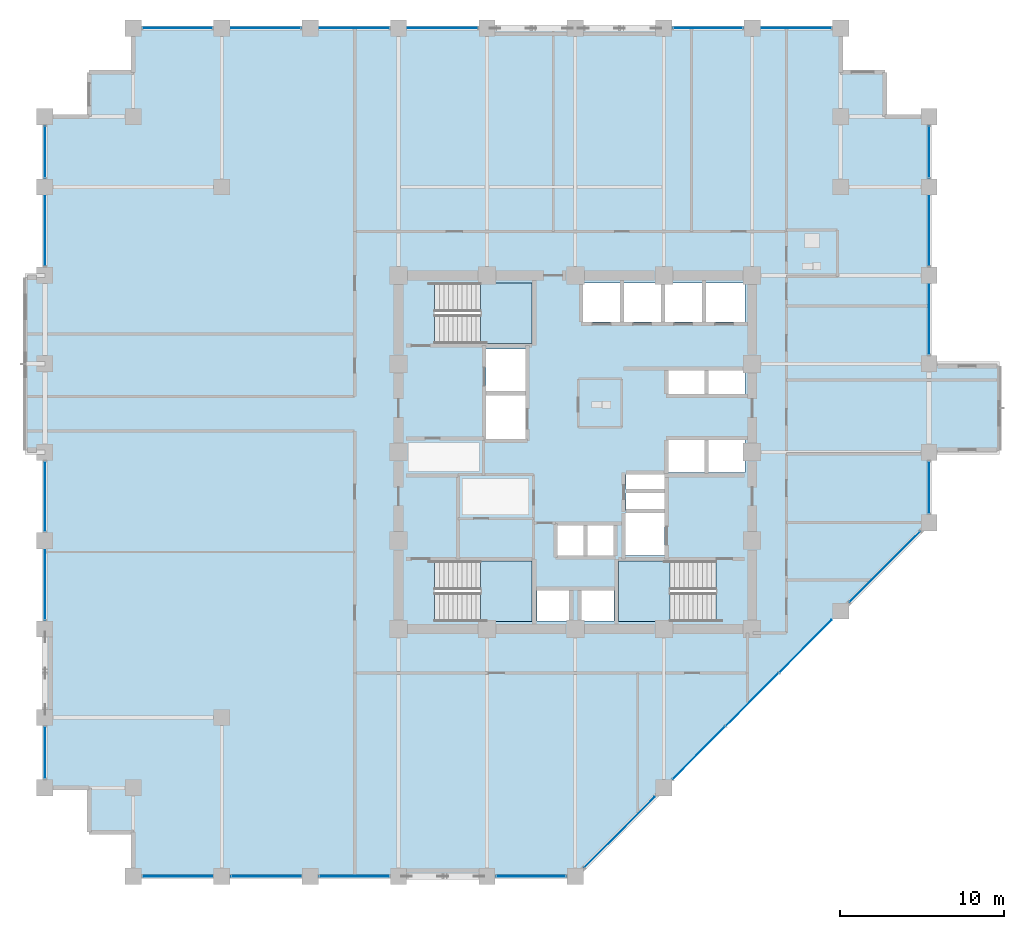
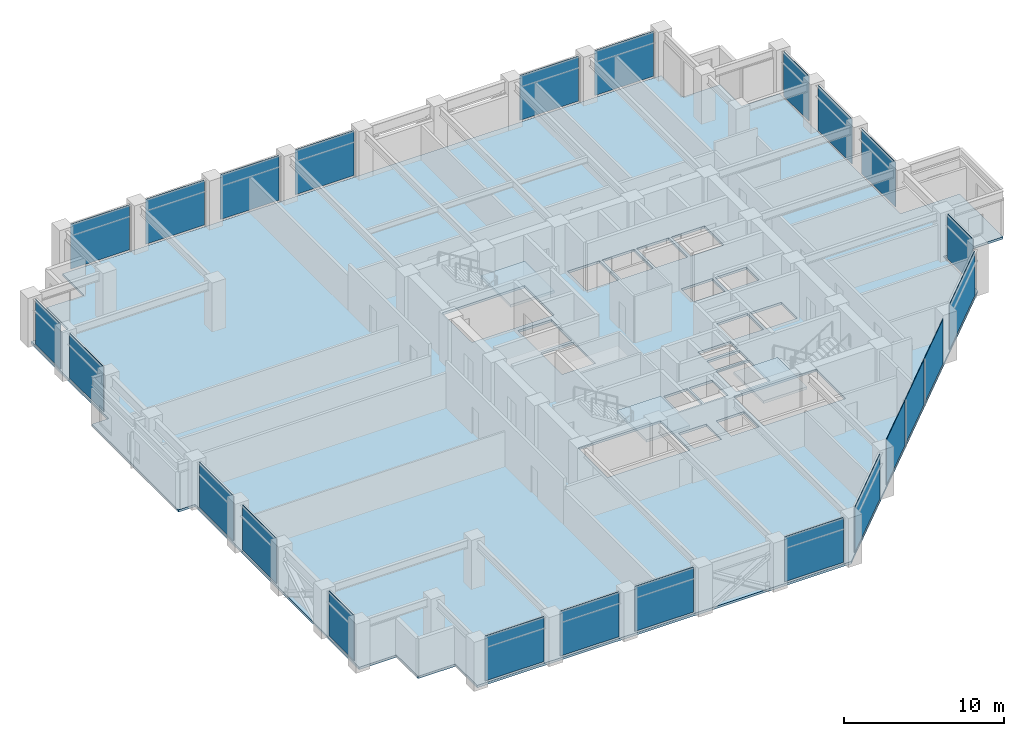
# One storey, part 17 of 25: 24 plates, 4 slabs, 13 elements without a shape of their own.
"""IFC4 building model written with IfcOpenShell, lengths in metres."""

from ifc_helpers import new_model, si_unit, direction, frame, frame_2d, origin, place, context, subcontext, project, spatial, polyline, rectangle, outline, extrude, material, layer, layer_set, type_object, element, aggregate, save


model = new_model("IFC4")

# Units and contexts
model_context = context("Model", 3, precision=1e-05, world=origin(), true_north=direction((0.0, 1.0)))
body_context = subcontext(model_context, "Body", "Model", "MODEL_VIEW")
ifc_project = project(units=[si_unit("LENGTHUNIT", "METRE"), si_unit("AREAUNIT", "SQUARE_METRE"), si_unit("VOLUMEUNIT", "CUBIC_METRE"), si_unit("PLANEANGLEUNIT", "RADIAN"), si_unit("MASSUNIT", "GRAM", prefix="KILO")], contexts=[model_context])

# Site, building, storey
site_placement = place(None, origin())
site = spatial("IfcSite", under=ifc_project, at=site_placement, CompositionType="ELEMENT")
building_placement = place(site_placement, origin())
building = spatial("IfcBuilding", under=site, at=building_placement, Name="Surkhivell Harbour Commons", CompositionType="ELEMENT")
storey_placement = place(building_placement, frame((0.0, 0.0, 139.5)))
storey = spatial("IfcBuildingStorey", under=building, at=storey_placement, Name="L36", CompositionType="ELEMENT", Elevation=139.5)

# Curtain wall, plates
ifc_material_1 = material(Name="Anodised pale-metal aluminium and insulated glazing", Category="aluminium")
ifc_layer_1 = layer(ifc_material_1, 0.205078125)
ifc_layer_set_1 = layer_set([ifc_layer_1], Name="Anodised pale-metal aluminium and insulated glazing")
curtain_wall_type = type_object("IfcCurtainWallType", Name="CW-SYS-Z2", PredefinedType="NOTDEFINED", material=ifc_layer_set_1)
curtain_wall_1_placement = place(storey_placement, origin())
curtain_wall_1 = element("IfcCurtainWall", 1, at=curtain_wall_1_placement, inside=storey, type_object=curtain_wall_type, Name="L36 Curtain Wall CW-L36-E00S1", PredefinedType="NOTDEFINED")
ifc_material_2 = material(Name="High-pressure typhoon laminated vision glass", Category="glass")
ifc_layer_2 = layer(ifc_material_2, 0.035888671875)
ifc_layer_set_2 = layer_set([ifc_layer_2], Name="High-pressure typhoon laminated vision glass")
plate_type = type_object("IfcPlateType", Name="CWP-GLZ-36", PredefinedType="CURTAIN_PANEL", material=ifc_layer_set_2)
plate_1_placement = place(storey_placement, frame((-26.423095703125, -25.89990234375, 0.14990234375), z_axis=(0.0, 0.0, 1.0), x_axis=(1.0, 0.0, 0.0)))
plate_1 = element("IfcPlate", 2, at=plate_1_placement, type_object=plate_type, Name="CW-Z2 panel 1.1", PredefinedType="CURTAIN_PANEL", context=body_context, shape_type="SweptSolid", body=[
    extrude(rectangle(XDim=4.24609375, YDim=0.035888671875, at=frame_2d((2.123046875, 0.0))), origin(), (0.0, 0.0, 1.0), 3.420166015625),
])
plate_2_placement = place(storey_placement, frame((-21.02294921875, -25.89990234375, 0.14990234375), z_axis=(0.0, 0.0, 1.0), x_axis=(1.0, 0.0, 0.0)))
plate_2 = element("IfcPlate", 3, at=plate_2_placement, type_object=plate_type, Name="CW-Z2 panel 2.1", PredefinedType="CURTAIN_PANEL", context=body_context, shape_type="SweptSolid", body=[
    extrude(rectangle(XDim=4.245849609375, YDim=0.035888671875, at=frame_2d((2.123046875, 0.0))), origin(), (0.0, 0.0, 1.0), 3.420166015625),
])
plate_3_placement = place(storey_placement, frame((-15.623046875, -25.89990234375, 0.14990234375), z_axis=(0.0, 0.0, 1.0), x_axis=(1.0, 0.0, 0.0)))
plate_3 = element("IfcPlate", 4, at=plate_3_placement, type_object=plate_type, Name="CW-Z2 panel 3.1", PredefinedType="CURTAIN_PANEL", context=body_context, shape_type="SweptSolid", body=[
    extrude(rectangle(XDim=4.24609375, YDim=0.035888671875, at=frame_2d((2.123046875, 0.0))), origin(), (0.0, 0.0, 1.0), 3.420166015625),
])
aggregate(curtain_wall_1, [plate_1, plate_2, plate_3])

# Curtain wall, plate
curtain_wall_2_placement = place(storey_placement, origin())
curtain_wall_2 = element("IfcCurtainWall", 5, at=curtain_wall_2_placement, inside=storey, type_object=curtain_wall_type, Name="L36 Curtain Wall CW-L36-E00S2", PredefinedType="NOTDEFINED")
plate_4_placement = place(storey_placement, frame((-4.822998046875, -25.89990234375, 0.14990234375), z_axis=(0.0, 0.0, 1.0), x_axis=(1.0, 0.0, 0.0)))
plate_4 = element("IfcPlate", 6, at=plate_4_placement, type_object=plate_type, Name="CW-Z2 panel 1.1", PredefinedType="CURTAIN_PANEL", context=body_context, shape_type="SweptSolid", body=[
    extrude(rectangle(XDim=4.24609375, YDim=0.035888671875, at=frame_2d((2.123046875, 0.0))), origin(), (0.0, 0.0, 1.0), 3.420166015625),
])
aggregate(curtain_wall_2, [plate_4])

# Curtain wall, plates
curtain_wall_3_placement = place(storey_placement, origin())
curtain_wall_3 = element("IfcCurtainWall", 7, at=curtain_wall_3_placement, inside=storey, type_object=curtain_wall_type, Name="L36 Curtain Wall CW-L36-E01", PredefinedType="NOTDEFINED")
plate_5_placement = place(storey_placement, frame((0.5546875, -25.34521484375, 0.14990234375), z_axis=(0.0, 0.0, 1.0), x_axis=(0.707106781187, 0.707106781187, 0.0)))
plate_5 = element("IfcPlate", 8, at=plate_5_placement, type_object=plate_type, Name="CW-Z2 panel 1.1", PredefinedType="CURTAIN_PANEL", context=body_context, shape_type="SweptSolid", body=[
    extrude(rectangle(XDim=6.067626953125, YDim=0.035888671875, at=frame_2d((3.03369140625, 0.0))), origin(), (0.0, 0.0, 1.0), 3.420166015625),
])
plate_6_placement = place(storey_placement, frame((5.954833984375, -19.9453125, 0.14990234375), z_axis=(0.0, 0.0, 1.0), x_axis=(0.707079687416, 0.707133873919, 0.0)))
plate_6 = element("IfcPlate", 9, at=plate_6_placement, type_object=plate_type, Name="CW-Z2 panel 2.1", PredefinedType="CURTAIN_PANEL", context=body_context, shape_type="SweptSolid", body=[
    extrude(rectangle(XDim=4.505615234375, YDim=0.035888671875, at=frame_2d((2.2529296875, 0.0))), origin(), (0.0, 0.0, 1.0), 3.420166015625),
])
plate_7_placement = place(storey_placement, frame((9.19384765625, -16.706298828125, 0.14990234375), z_axis=(0.0, 0.0, 1.0), x_axis=(0.707079911854, 0.707133649498, 0.0)))
plate_7 = element("IfcPlate", 10, at=plate_7_placement, type_object=plate_type, Name="CW-Z2 panel 3.1", PredefinedType="CURTAIN_PANEL", context=body_context, shape_type="SweptSolid", body=[
    extrude(rectangle(XDim=4.543212890625, YDim=0.035888671875, at=frame_2d((2.271484375, 0.0))), origin(), (0.0, 0.0, 1.0), 3.420166015625),
])
plate_8_placement = place(storey_placement, frame((12.459228515625, -13.440673828125, 0.14990234375), z_axis=(0.0, 0.0, 1.0), x_axis=(0.707106781187, 0.707106781187, 0.0)))
plate_8 = element("IfcPlate", 11, at=plate_8_placement, type_object=plate_type, Name="CW-Z2 panel 4.1", PredefinedType="CURTAIN_PANEL", context=body_context, shape_type="SweptSolid", body=[
    extrude(rectangle(XDim=4.505615234375, YDim=0.035888671875, at=frame_2d((2.2529296875, 0.0))), origin(), (0.0, 0.0, 1.0), 3.420166015625),
])
plate_9_placement = place(storey_placement, frame((16.754638671875, -9.145263671875, 0.14990234375), z_axis=(0.0, 0.0, 1.0), x_axis=(0.707106781187, 0.707106781187, 0.0)))
plate_9 = element("IfcPlate", 12, at=plate_9_placement, type_object=plate_type, Name="CW-Z2 panel 5.1", PredefinedType="CURTAIN_PANEL", context=body_context, shape_type="SweptSolid", body=[
    extrude(rectangle(XDim=6.067626953125, YDim=0.035888671875, at=frame_2d((3.03369140625, 0.0))), origin(), (0.0, 0.0, 1.0), 3.420166015625),
])
aggregate(curtain_wall_3, [plate_5, plate_6, plate_7, plate_8, plate_9])

# Curtain wall, plate
curtain_wall_4_placement = place(storey_placement, origin())
curtain_wall_4 = element("IfcCurtainWall", 13, at=curtain_wall_4_placement, inside=storey, type_object=curtain_wall_type, Name="L36 Curtain Wall CW-L36-E02R1", PredefinedType="NOTDEFINED")
plate_10_placement = place(storey_placement, frame((21.60009765625, -3.722900390625, 0.14990234375), z_axis=(0.0, 0.0, 1.0), x_axis=(0.0, 1.0, 0.0)))
plate_10 = element("IfcPlate", 14, at=plate_10_placement, type_object=plate_type, Name="CW-Z2 panel 1.1", PredefinedType="CURTAIN_PANEL", context=body_context, shape_type="SweptSolid", body=[
    extrude(rectangle(XDim=3.14599609375, YDim=0.035888671875, at=frame_2d((1.572998046875, 0.0))), origin(), (0.0, 0.0, 1.0), 3.420166015625),
])
aggregate(curtain_wall_4, [plate_10])

# Curtain wall, plates
curtain_wall_5_placement = place(storey_placement, origin())
curtain_wall_5 = element("IfcCurtainWall", 15, at=curtain_wall_5_placement, inside=storey, type_object=curtain_wall_type, Name="L36 Curtain Wall CW-L36-E02R2", PredefinedType="NOTDEFINED")
plate_11_placement = place(storey_placement, frame((21.60009765625, 5.97705078125, 0.14990234375), z_axis=(0.0, 0.0, 1.0), x_axis=(0.0, 1.0, 0.0)))
plate_11 = element("IfcPlate", 16, at=plate_11_placement, type_object=plate_type, Name="CW-Z2 panel 1.1", PredefinedType="CURTAIN_PANEL", context=body_context, shape_type="SweptSolid", body=[
    extrude(rectangle(XDim=4.245849609375, YDim=0.035888671875, at=frame_2d((2.123046875, 0.0))), origin(), (0.0, 0.0, 1.0), 3.420166015625),
])
plate_12_placement = place(storey_placement, frame((21.60009765625, 11.376953125, 0.14990234375), z_axis=(0.0, 0.0, 1.0), x_axis=(0.0, 1.0, 0.0)))
plate_12 = element("IfcPlate", 17, at=plate_12_placement, type_object=plate_type, Name="CW-Z2 panel 2.1", PredefinedType="CURTAIN_PANEL", context=body_context, shape_type="SweptSolid", body=[
    extrude(rectangle(XDim=4.24609375, YDim=0.035888671875, at=frame_2d((2.123046875, 0.0))), origin(), (0.0, 0.0, 1.0), 3.420166015625),
])
plate_13_placement = place(storey_placement, frame((21.60009765625, 16.777099609375, 0.14990234375), z_axis=(0.0, 0.0, 1.0), x_axis=(0.0, 1.0, 0.0)))
plate_13 = element("IfcPlate", 18, at=plate_13_placement, type_object=plate_type, Name="CW-Z2 panel 3.1", PredefinedType="CURTAIN_PANEL", context=body_context, shape_type="SweptSolid", body=[
    extrude(rectangle(XDim=3.14599609375, YDim=0.035888671875, at=frame_2d((1.572998046875, 0.0))), origin(), (0.0, 0.0, 1.0), 3.420166015625),
])
aggregate(curtain_wall_5, [plate_11, plate_12, plate_13])

curtain_wall_6_placement = place(storey_placement, origin())
curtain_wall_6 = element("IfcCurtainWall", 19, at=curtain_wall_6_placement, inside=storey, type_object=curtain_wall_type, Name="L36 Curtain Wall CW-L36-E07S1", PredefinedType="NOTDEFINED")
plate_14_placement = place(storey_placement, frame((15.623046875, 25.89990234375, 0.14990234375), z_axis=(0.0, 0.0, 1.0), x_axis=(-1.0, 0.0, 0.0)))
plate_14 = element("IfcPlate", 20, at=plate_14_placement, type_object=plate_type, Name="CW-Z2 panel 1.1", PredefinedType="CURTAIN_PANEL", context=body_context, shape_type="SweptSolid", body=[
    extrude(rectangle(XDim=4.24609375, YDim=0.035888671875, at=frame_2d((2.123046875, 0.0))), origin(), (0.0, 0.0, 1.0), 3.420166015625),
])
plate_15_placement = place(storey_placement, frame((10.222900390625, 25.89990234375, 0.14990234375), z_axis=(0.0, 0.0, 1.0), x_axis=(-1.0, 0.0, 0.0)))
plate_15 = element("IfcPlate", 21, at=plate_15_placement, type_object=plate_type, Name="CW-Z2 panel 2.1", PredefinedType="CURTAIN_PANEL", context=body_context, shape_type="SweptSolid", body=[
    extrude(rectangle(XDim=4.245849609375, YDim=0.035888671875, at=frame_2d((2.123046875, 0.0))), origin(), (0.0, 0.0, 1.0), 3.420166015625),
])
aggregate(curtain_wall_6, [plate_14, plate_15])

curtain_wall_7_placement = place(storey_placement, origin())
curtain_wall_7 = element("IfcCurtainWall", 22, at=curtain_wall_7_placement, inside=storey, type_object=curtain_wall_type, Name="L36 Curtain Wall CW-L36-E07S2", PredefinedType="NOTDEFINED")
plate_16_placement = place(storey_placement, frame((-5.97705078125, 25.89990234375, 0.14990234375), z_axis=(0.0, 0.0, 1.0), x_axis=(-1.0, 0.0, 0.0)))
plate_16 = element("IfcPlate", 23, at=plate_16_placement, type_object=plate_type, Name="CW-Z2 panel 1.1", PredefinedType="CURTAIN_PANEL", context=body_context, shape_type="SweptSolid", body=[
    extrude(rectangle(XDim=4.245849609375, YDim=0.035888671875, at=frame_2d((2.123046875, 0.0))), origin(), (0.0, 0.0, 1.0), 3.420166015625),
])
plate_17_placement = place(storey_placement, frame((-11.376953125, 25.89990234375, 0.14990234375), z_axis=(0.0, 0.0, 1.0), x_axis=(-1.0, 0.0, 0.0)))
plate_17 = element("IfcPlate", 24, at=plate_17_placement, type_object=plate_type, Name="CW-Z2 panel 2.1", PredefinedType="CURTAIN_PANEL", context=body_context, shape_type="SweptSolid", body=[
    extrude(rectangle(XDim=4.24609375, YDim=0.035888671875, at=frame_2d((2.123046875, 0.0))), origin(), (0.0, 0.0, 1.0), 3.420166015625),
])
plate_18_placement = place(storey_placement, frame((-16.777099609375, 25.89990234375, 0.14990234375), z_axis=(0.0, 0.0, 1.0), x_axis=(-1.0, 0.0, 0.0)))
plate_18 = element("IfcPlate", 25, at=plate_18_placement, type_object=plate_type, Name="CW-Z2 panel 3.1", PredefinedType="CURTAIN_PANEL", context=body_context, shape_type="SweptSolid", body=[
    extrude(rectangle(XDim=4.245849609375, YDim=0.035888671875, at=frame_2d((2.123046875, 0.0))), origin(), (0.0, 0.0, 1.0), 3.420166015625),
])
plate_19_placement = place(storey_placement, frame((-22.177001953125, 25.89990234375, 0.14990234375), z_axis=(0.0, 0.0, 1.0), x_axis=(-1.0, 0.0, 0.0)))
plate_19 = element("IfcPlate", 26, at=plate_19_placement, type_object=plate_type, Name="CW-Z2 panel 4.1", PredefinedType="CURTAIN_PANEL", context=body_context, shape_type="SweptSolid", body=[
    extrude(rectangle(XDim=4.24609375, YDim=0.035888671875, at=frame_2d((2.123046875, 0.0))), origin(), (0.0, 0.0, 1.0), 3.420166015625),
])
aggregate(curtain_wall_7, [plate_16, plate_17, plate_18, plate_19])

# Curtain wall, plate
curtain_wall_8_placement = place(storey_placement, origin())
curtain_wall_8 = element("IfcCurtainWall", 27, at=curtain_wall_8_placement, inside=storey, type_object=curtain_wall_type, Name="L36 Curtain Wall CW-L36-E12R1S1", PredefinedType="NOTDEFINED")
plate_20_placement = place(storey_placement, frame((-32.39990234375, -19.923095703125, 0.14990234375), z_axis=(0.0, 0.0, 1.0), x_axis=(0.0, 1.0, 0.0)))
plate_20 = element("IfcPlate", 28, at=plate_20_placement, type_object=plate_type, Name="CW-Z2 panel 1.1", PredefinedType="CURTAIN_PANEL", context=body_context, shape_type="SweptSolid", body=[
    extrude(rectangle(XDim=3.14599609375, YDim=0.035888671875, at=frame_2d((1.572998046875, 0.0))), origin(), (0.0, 0.0, 1.0), 3.420166015625),
])
aggregate(curtain_wall_8, [plate_20])

# Curtain wall, plates
curtain_wall_9_placement = place(storey_placement, origin())
curtain_wall_9 = element("IfcCurtainWall", 29, at=curtain_wall_9_placement, inside=storey, type_object=curtain_wall_type, Name="L36 Curtain Wall CW-L36-E12R1S2", PredefinedType="NOTDEFINED")
plate_21_placement = place(storey_placement, frame((-32.39990234375, -10.222900390625, 0.14990234375), z_axis=(0.0, 0.0, 1.0), x_axis=(0.0, 1.0, 0.0)))
plate_21 = element("IfcPlate", 30, at=plate_21_placement, type_object=plate_type, Name="CW-Z2 panel 1.1", PredefinedType="CURTAIN_PANEL", context=body_context, shape_type="SweptSolid", body=[
    extrude(rectangle(XDim=4.245849609375, YDim=0.035888671875, at=frame_2d((2.123046875, 0.0))), origin(), (0.0, 0.0, 1.0), 3.420166015625),
])
plate_22_placement = place(storey_placement, frame((-32.39990234375, -4.822998046875, 0.14990234375), z_axis=(0.0, 0.0, 1.0), x_axis=(0.0, 1.0, 0.0)))
plate_22 = element("IfcPlate", 31, at=plate_22_placement, type_object=plate_type, Name="CW-Z2 panel 2.1", PredefinedType="CURTAIN_PANEL", context=body_context, shape_type="SweptSolid", body=[
    extrude(rectangle(XDim=4.24609375, YDim=0.035888671875, at=frame_2d((2.123046875, 0.0))), origin(), (0.0, 0.0, 1.0), 3.420166015625),
])
aggregate(curtain_wall_9, [plate_21, plate_22])

curtain_wall_10_placement = place(storey_placement, origin())
curtain_wall_10 = element("IfcCurtainWall", 32, at=curtain_wall_10_placement, inside=storey, type_object=curtain_wall_type, Name="L36 Curtain Wall CW-L36-E12R2", PredefinedType="NOTDEFINED")
plate_23_placement = place(storey_placement, frame((-32.39990234375, 11.376953125, 0.14990234375), z_axis=(0.0, 0.0, 1.0), x_axis=(0.0, 1.0, 0.0)))
plate_23 = element("IfcPlate", 33, at=plate_23_placement, type_object=plate_type, Name="CW-Z2 panel 1.1", PredefinedType="CURTAIN_PANEL", context=body_context, shape_type="SweptSolid", body=[
    extrude(rectangle(XDim=4.24609375, YDim=0.035888671875, at=frame_2d((2.123046875, 0.0))), origin(), (0.0, 0.0, 1.0), 3.420166015625),
])
plate_24_placement = place(storey_placement, frame((-32.39990234375, 16.777099609375, 0.14990234375), z_axis=(0.0, 0.0, 1.0), x_axis=(0.0, 1.0, 0.0)))
plate_24 = element("IfcPlate", 34, at=plate_24_placement, type_object=plate_type, Name="CW-Z2 panel 2.1", PredefinedType="CURTAIN_PANEL", context=body_context, shape_type="SweptSolid", body=[
    extrude(rectangle(XDim=3.14599609375, YDim=0.035888671875, at=frame_2d((1.572998046875, 0.0))), origin(), (0.0, 0.0, 1.0), 3.420166015625),
])
aggregate(curtain_wall_10, [plate_23, plate_24])

# Stair, slab
ifc_material_3 = material(Name="Precast concrete C45/55", Category="concrete")
stair_type = type_object("IfcStairType", Name="STR-DL-375", PredefinedType="HALF_TURN_STAIR", material=ifc_material_3)
stair_1_placement = place(storey_placement, origin())
stair_1 = element("IfcStair", 35, at=stair_1_placement, inside=storey, type_object=stair_type, Name="L36 Core Exit Stair ST1", PredefinedType="HALF_TURN_STAIR")
ifc_material_4 = material(Name="Reinforced concrete C45/55", Category="concrete")
ifc_layer_3 = layer(ifc_material_4, 0.199951171875)
ifc_layer_set_3 = layer_set([ifc_layer_3], Name="Reinforced concrete C45/55")
slab_type_1 = type_object("IfcSlabType", Name="SLB-ST-LND200", PredefinedType="LANDING", material=ifc_layer_set_3)
slab_1_placement = place(storey_placement, frame((0.0, 0.0, 1.675048828125)))
slab_1 = element("IfcSlab", 36, at=slab_1_placement, type_object=slab_type_1, Name="ST1 landing 1", PredefinedType="LANDING", context=body_context, shape_type="SweptSolid", body=[
    extrude(outline(polyline([(-5.7900390625, 6.639892578125), (-2.639892578125, 6.639892578125), (-2.639892578125, 10.340087890625), (-5.7900390625, 10.340087890625), (-5.7900390625, 6.639892578125)])), origin(), (0.0, 0.0, 1.0), 0.199951171875),
])
aggregate(stair_1, [slab_1])

stair_2_placement = place(storey_placement, origin())
stair_2 = element("IfcStair", 37, at=stair_2_placement, inside=storey, type_object=stair_type, Name="L36 Core Exit Stair ST2", PredefinedType="HALF_TURN_STAIR")
slab_2_placement = place(storey_placement, frame((0.0, 0.0, 1.675048828125)))
slab_2 = element("IfcSlab", 38, at=slab_2_placement, type_object=slab_type_1, Name="ST2 landing 1", PredefinedType="LANDING", context=body_context, shape_type="SweptSolid", body=[
    extrude(outline(polyline([(5.7900390625, -6.639892578125), (2.639892578125, -6.639892578125), (2.639892578125, -10.340087890625), (5.7900390625, -10.340087890625), (5.7900390625, -6.639892578125)])), origin(), (0.0, 0.0, 1.0), 0.199951171875),
])
aggregate(stair_2, [slab_2])

stair_3_placement = place(storey_placement, origin())
stair_3 = element("IfcStair", 39, at=stair_3_placement, inside=storey, type_object=stair_type, Name="L36 Core Exit Stair ST3", PredefinedType="HALF_TURN_STAIR")
slab_3_placement = place(storey_placement, frame((0.0, 0.0, 1.675048828125)))
slab_3 = element("IfcSlab", 40, at=slab_3_placement, type_object=slab_type_1, Name="ST3 landing 1", PredefinedType="LANDING", context=body_context, shape_type="SweptSolid", body=[
    extrude(outline(polyline([(-5.7900390625, -10.340087890625), (-2.639892578125, -10.340087890625), (-2.639892578125, -6.639892578125), (-5.7900390625, -6.639892578125), (-5.7900390625, -10.340087890625)])), origin(), (0.0, 0.0, 1.0), 0.199951171875),
])
aggregate(stair_3, [slab_3])

# Slab
ifc_material_5 = material(Name="Concrete C45/55", Category="concrete")
ifc_layer_4 = layer(ifc_material_5, 0.179931640625)
ifc_layer_set_4 = layer_set([ifc_layer_4], Name="Concrete C45/55")
slab_type_2 = type_object("IfcSlabType", Name="SLB-TYP-180", PredefinedType="FLOOR", material=ifc_layer_set_4)
slab_4_placement = place(storey_placement, frame((0.0, 0.0, -0.179931640625)))
element("IfcSlab", 41, at=slab_4_placement, inside=storey, type_object=slab_type_2, Name="L36 Structural Floor Slab", PredefinedType="FLOOR", context=body_context, shape_type="SweptSolid", body=[
    extrude(outline(polyline([(-32.39990234375, 20.5), (-32.39990234375, 10.800048828125), (-33.60009765625, 10.800048828125), (-33.60009765625, 0.0), (-32.39990234375, 0.0), (-32.39990234375, -20.5), (-29.699951171875, -20.5), (-29.699951171875, -23.199951171875), (-27.0, -23.199951171875), (-27.0, -25.89990234375), (0.0, -25.89990234375), (21.60009765625, -4.300048828125), (21.60009765625, 0.0), (25.89990234375, 0.0), (25.89990234375, 5.39990234375), (21.60009765625, 5.39990234375), (21.60009765625, 20.5), (18.89990234375, 20.5), (18.89990234375, 23.199951171875), (16.199951171875, 23.199951171875), (16.199951171875, 25.89990234375), (-27.0, 25.89990234375), (-27.0, 23.199951171875), (-29.699951171875, 23.199951171875), (-29.699951171875, 20.5), (-32.39990234375, 20.5)]), holes=[polyline([(-8.590087890625, 6.639892578125), (-2.639892578125, 6.639892578125), (-2.639892578125, 10.340087890625), (-8.590087890625, 10.340087890625), (-8.590087890625, 6.639892578125)]), polyline([(8.590087890625, -6.639892578125), (2.639892578125, -6.639892578125), (2.639892578125, -10.340087890625), (8.590087890625, -10.340087890625), (8.590087890625, -6.639892578125)]), polyline([(-8.590087890625, -10.340087890625), (-2.639892578125, -10.340087890625), (-2.639892578125, -6.639892578125), (-8.590087890625, -6.639892578125), (-8.590087890625, -10.340087890625)]), polyline([(0.449951171875, 7.949951171875), (2.75, 7.949951171875), (2.75, 10.35009765625), (0.449951171875, 10.35009765625), (0.449951171875, 7.949951171875)]), polyline([(2.949951171875, 7.949951171875), (5.25, 7.949951171875), (5.25, 10.35009765625), (2.949951171875, 10.35009765625), (2.949951171875, 7.949951171875)]), polyline([(5.449951171875, 7.949951171875), (7.75, 7.949951171875), (7.75, 10.35009765625), (5.449951171875, 10.35009765625), (5.449951171875, 7.949951171875)]), polyline([(7.949951171875, 7.949951171875), (10.35009765625, 7.949951171875), (10.35009765625, 10.35009765625), (7.949951171875, 10.35009765625), (7.949951171875, 7.949951171875)]), polyline([(5.64990234375, 3.550048828125), (7.89990234375, 3.550048828125), (7.89990234375, 5.14990234375), (5.64990234375, 5.14990234375), (5.64990234375, 3.550048828125)]), polyline([(8.10009765625, 3.550048828125), (10.35009765625, 3.550048828125), (10.35009765625, 5.14990234375), (8.10009765625, 5.14990234375), (8.10009765625, 3.550048828125)]), polyline([(5.64990234375, -1.25), (7.89990234375, -1.25), (7.89990234375, 0.75), (5.64990234375, 0.75), (5.64990234375, -1.25)]), polyline([(8.10009765625, -1.25), (10.35009765625, -1.25), (10.35009765625, 0.75), (8.10009765625, 0.75), (8.10009765625, -1.25)]), polyline([(-1.14990234375, -6.35009765625), (0.550048828125, -6.35009765625), (0.550048828125, -4.449951171875), (-1.14990234375, -4.449951171875), (-1.14990234375, -6.35009765625)]), polyline([(0.679931640625, -6.35009765625), (2.3798828125, -6.35009765625), (2.3798828125, -4.449951171875), (0.679931640625, -4.449951171875), (0.679931640625, -6.35009765625)]), polyline([(-2.35009765625, -10.300048828125), (-0.35009765625, -10.300048828125), (-0.35009765625, -8.39990234375), (-2.35009765625, -8.39990234375), (-2.35009765625, -10.300048828125)]), polyline([(0.35009765625, -10.300048828125), (2.35009765625, -10.300048828125), (2.35009765625, -8.39990234375), (0.35009765625, -8.39990234375), (0.35009765625, -10.300048828125)]), polyline([(-5.449951171875, 3.699951171875), (-3.050048828125, 3.699951171875), (-3.050048828125, 6.300048828125), (-5.449951171875, 6.300048828125), (-5.449951171875, 3.699951171875)]), polyline([(3.050048828125, -6.300048828125), (5.449951171875, -6.300048828125), (5.449951171875, -3.699951171875), (3.050048828125, -3.699951171875), (3.050048828125, -6.300048828125)]), polyline([(-5.449951171875, 0.800048828125), (-3.050048828125, 0.800048828125), (-3.050048828125, 3.5), (-5.449951171875, 3.5), (-5.449951171875, 0.800048828125)]), polyline([(3.10009765625, -3.550048828125), (5.449951171875, -3.550048828125), (5.449951171875, -2.47998046875), (3.10009765625, -2.47998046875), (3.10009765625, -3.550048828125)]), polyline([(3.10009765625, -2.280029296875), (5.449951171875, -2.280029296875), (5.449951171875, -1.35009765625), (3.10009765625, -1.35009765625), (3.10009765625, -2.280029296875)])]), origin(), (0.0, 0.0, 1.0), 0.179931640625),
])

save(model, "model.ifc")
